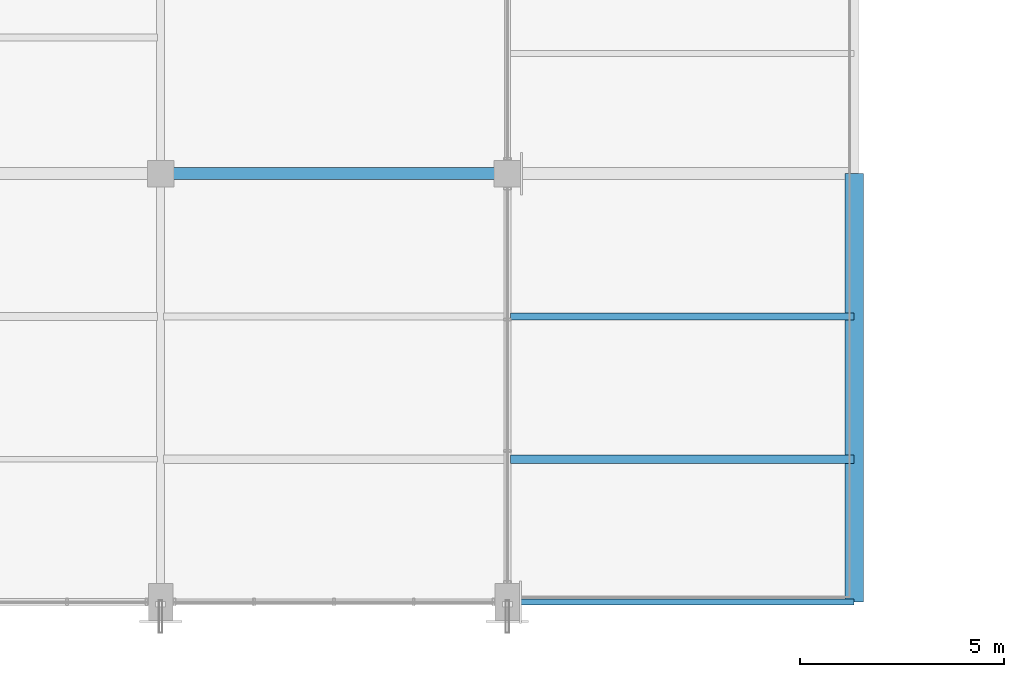
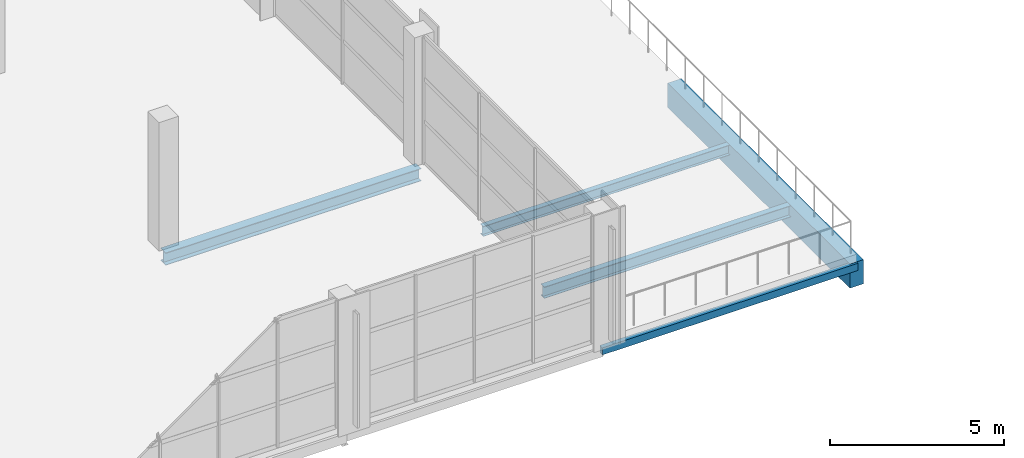
# One storey, part 32 of 86: 5 beams.
"""IFC4 building model written with IfcOpenShell, lengths in metres."""

from ifc_helpers import new_model, si_unit, direction, frame, origin, origin_2d, place, context, subcontext, project, spatial, rectangle, hollow_rectangle, i_section, extrude, material, material_profile, profile_set, type_object, element, save


model = new_model("IFC4")

# Units and contexts
model_context = context("Model", 3, precision=1e-05, world=origin(), true_north=direction((0.0, 1.0)))
body_context = subcontext(model_context, "Body", "Model", "MODEL_VIEW")
ifc_project = project(units=[si_unit("LENGTHUNIT", "METRE"), si_unit("AREAUNIT", "SQUARE_METRE"), si_unit("VOLUMEUNIT", "CUBIC_METRE"), si_unit("PLANEANGLEUNIT", "RADIAN"), si_unit("MASSUNIT", "GRAM", prefix="KILO")], contexts=[model_context])

# Site, building, storey
site_placement = place(None, origin())
site = spatial("IfcSite", under=ifc_project, at=site_placement, CompositionType="ELEMENT")
building_placement = place(site_placement, origin())
building = spatial("IfcBuilding", under=site, at=building_placement, Name="Solvikara Media Centre", CompositionType="ELEMENT")
storey_placement = place(building_placement, frame((0.0, 0.0, 15.0)))
storey = spatial("IfcBuildingStorey", under=building, at=storey_placement, Name="L03", CompositionType="ELEMENT", Elevation=15.0)

# Beams
ifc_material_1 = material(Name="Concrete fc' 35 MPa (C35/45)", Category="concrete")
ifc_material_profile_1 = material_profile(ifc_material_1, rectangle(XDim=0.449951171875, YDim=0.85009765625, at=origin_2d()), Name="RC 450x850")
ifc_profile_set_1 = profile_set([ifc_material_profile_1], Name="Concrete fc' 35 MPa (C35/45)")
beam_type_1 = type_object("IfcBeamType", Name="BM-14", PredefinedType="SPANDREL", material=ifc_profile_set_1)
beam_1_placement = place(storey_placement, frame((76.5, 0.0, -0.695068359375), z_axis=(0.0, 1.0, 0.0), x_axis=(-1.0, 0.0, 0.0)))
element("IfcBeam", 1, at=beam_1_placement, inside=storey, type_object=beam_type_1, Name="B-L03-Y1280", PredefinedType="SPANDREL", context=body_context, shape_type="SweptSolid", body=[
    extrude(rectangle(XDim=0.449951171875, YDim=0.85009765625, at=origin_2d()), origin(), (0.0, 0.0, 1.0), 10.5),
])
ifc_material_2 = material(Name="Steel S355JR", Category="steel")
ifc_material_profile_2 = material_profile(ifc_material_2, i_section(OverallWidth=0.199951171875, OverallDepth=0.39990234375, WebThickness=0.008056640625, FlangeThickness=0.012939453125, at=origin_2d()), Name="WF 400x200x8x13")
ifc_profile_set_2 = profile_set([ifc_material_profile_2], Name="Steel S355JR")
beam_type_2 = type_object("IfcBeamType", Name="BM-21", PredefinedType="JOIST", material=ifc_profile_set_2)
beam_2_placement = place(storey_placement, frame((68.077880859375, 3.5, -0.471923828125), z_axis=(1.0, 0.0, 0.0), x_axis=(0.0, 1.0, 0.0)))
element("IfcBeam", 2, at=beam_2_placement, inside=storey, type_object=beam_type_2, Name="J-L03-1401", PredefinedType="JOIST", context=body_context, shape_type="SweptSolid", body=[
    extrude(i_section(OverallWidth=0.199951171875, OverallDepth=0.39990234375, WebThickness=0.008056640625, FlangeThickness=0.012939453125, at=origin_2d()), origin(), (0.0, 0.0, 1.0), 8.422119140625),
])
ifc_material_profile_3 = material_profile(ifc_material_2, i_section(OverallWidth=0.175048828125, OverallDepth=0.35009765625, WebThickness=0.007080078125, FlangeThickness=0.010986328125, at=origin_2d()), Name="WF 350x175x7x11")
ifc_profile_set_3 = profile_set([ifc_material_profile_3], Name="Steel S355JR")
beam_type_3 = type_object("IfcBeamType", Name="BM-22", PredefinedType="JOIST", material=ifc_profile_set_3)
beam_3_placement = place(storey_placement, frame((68.077880859375, 7.0, -0.447021484375), z_axis=(1.0, 0.0, 0.0), x_axis=(0.0, 1.0, 0.0)))
element("IfcBeam", 3, at=beam_3_placement, inside=storey, type_object=beam_type_3, Name="J-L03-1402", PredefinedType="JOIST", context=body_context, shape_type="SweptSolid", body=[
    extrude(i_section(OverallWidth=0.175048828125, OverallDepth=0.35009765625, WebThickness=0.007080078125, FlangeThickness=0.010986328125, at=origin_2d()), origin(), (0.0, 0.0, 1.0), 8.422119140625),
])
ifc_material_profile_4 = material_profile(ifc_material_2, i_section(OverallWidth=0.300048828125, OverallDepth=0.43994140625, WebThickness=0.010986328125, FlangeThickness=0.01806640625, at=origin_2d()), Name="H 440x300x11x18")
ifc_profile_set_4 = profile_set([ifc_material_profile_4], Name="Steel S355JR")
beam_type_4 = type_object("IfcBeamType", Name="BM-28", PredefinedType="BEAM", material=ifc_profile_set_4)
beam_4_placement = place(storey_placement, frame((59.5, 10.5, -0.501953125), z_axis=(1.0, 0.0, 0.0), x_axis=(0.0, 1.0, 0.0)))
element("IfcBeam", 4, at=beam_4_placement, inside=storey, type_object=beam_type_4, Name="B-L03-X1170", PredefinedType="BEAM", context=body_context, shape_type="SweptSolid", body=[
    extrude(i_section(OverallWidth=0.300048828125, OverallDepth=0.43994140625, WebThickness=0.010986328125, FlangeThickness=0.01806640625, at=origin_2d()), origin(), (0.0, 0.0, 1.0), 8.5),
])
ifc_material_profile_5 = material_profile(ifc_material_2, hollow_rectangle(XDim=0.14990234375, YDim=0.25, WallThickness=0.008056640625, at=origin_2d()), Name="RHS 250x150x8")
ifc_profile_set_5 = profile_set([ifc_material_profile_5], Name="Steel S355JR")
beam_type_5 = type_object("IfcBeamType", Name="BM-36", PredefinedType="JOIST", material=ifc_profile_set_5)
beam_5_placement = place(storey_placement, frame((68.0, 0.0, -0.39697265625), z_axis=(1.0, 0.0, 0.0), x_axis=(0.0, 1.0, 0.0)))
element("IfcBeam", 5, at=beam_5_placement, inside=storey, type_object=beam_type_5, Name="B-L03-X1158", PredefinedType="JOIST", context=body_context, shape_type="SweptSolid", body=[
    extrude(hollow_rectangle(XDim=0.14990234375, YDim=0.25, WallThickness=0.008056640625, at=origin_2d()), origin(), (0.0, 0.0, 1.0), 8.5),
])

save(model, "model.ifc")
